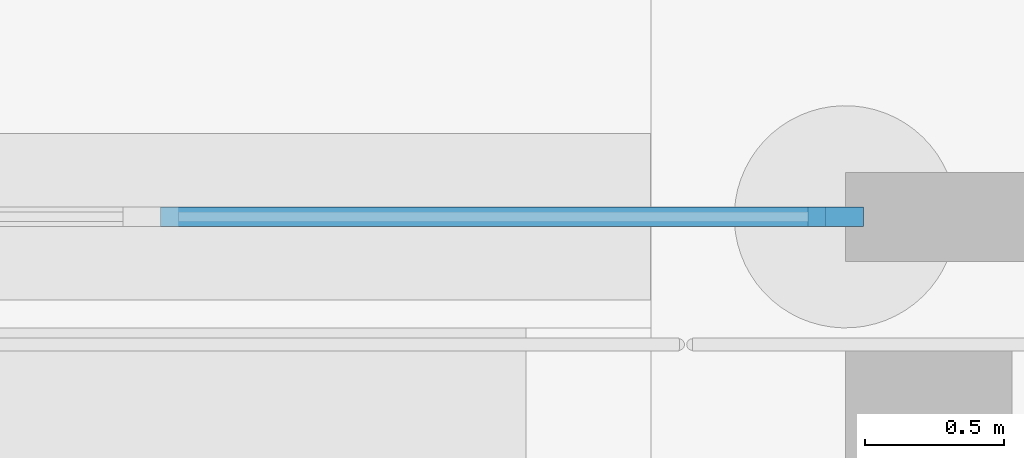
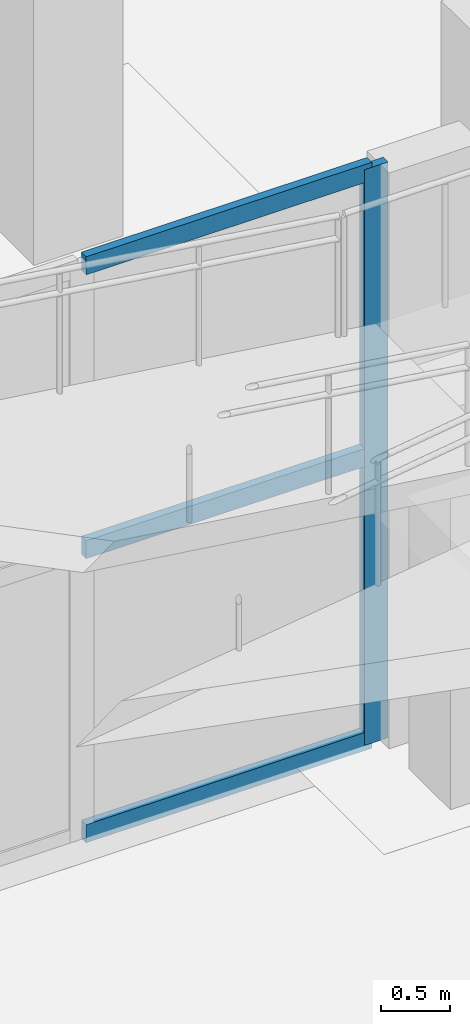
# One storey, part 22 of 46: 4 members, 1 element without a shape of its own.
"""IFC4 building model written with IfcOpenShell, lengths in metres."""

from ifc_helpers import new_model, si_unit, direction, frame, origin, origin_2d, place, context, subcontext, project, spatial, rectangle, extrude, material, material_profile, profile_set, type_object, element, aggregate, save


model = new_model("IFC4")

# Units and contexts
model_context = context("Model", 3, precision=1e-05, world=origin(), true_north=direction((0.0, 1.0)))
body_context = subcontext(model_context, "Body", "Model", "MODEL_VIEW")
ifc_project = project(units=[si_unit("LENGTHUNIT", "METRE"), si_unit("AREAUNIT", "SQUARE_METRE"), si_unit("VOLUMEUNIT", "CUBIC_METRE"), si_unit("PLANEANGLEUNIT", "RADIAN"), si_unit("MASSUNIT", "GRAM", prefix="KILO")], contexts=[model_context])

# Site, building, storey
site_placement = place(None, origin())
site = spatial("IfcSite", under=ifc_project, at=site_placement, CompositionType="ELEMENT")
building_placement = place(site_placement, origin())
building = spatial("IfcBuilding", under=site, at=building_placement, Name="Kimbaza Rail Terminus", CompositionType="ELEMENT")
storey_placement = place(building_placement, frame((0.0, 0.0, -6.0)))
storey = spatial("IfcBuildingStorey", under=building, at=storey_placement, Name="B1", CompositionType="ELEMENT", Elevation=-6.0)

# Curtain wall, members
ifc_material_1 = material(Name="Anodised aluminium framing and solar low-E glazing", Category="aluminium")
curtain_wall_type = type_object("IfcCurtainWallType", Name="ARC-CW-CN1", PredefinedType="USERDEFINED", material=ifc_material_1)
curtain_wall_placement = place(storey_placement, origin())
curtain_wall = element("IfcCurtainWall", 1, at=curtain_wall_placement, inside=storey, type_object=curtain_wall_type, Name="Metro Sunken Plaza Curtain Wall 3", ObjectType="UNITISED CURTAIN WALL", PredefinedType="USERDEFINED")
ifc_material_2 = material(Name="Anodised architectural aluminium", Category="aluminium")
ifc_material_profile_1 = material_profile(ifc_material_2, rectangle(XDim=0.070068359375, YDim=0.199951171875, at=origin_2d()), Name="MULLION 70x200")
ifc_profile_set_1 = profile_set([ifc_material_profile_1], Name="Anodised architectural aluminium")
member_type_1 = type_object("IfcMemberType", Name="ARC-CWM-02", PredefinedType="MULLION", material=ifc_profile_set_1)
member_1_placement = place(storey_placement, frame((137.965087890625, 27.0, 0.0), z_axis=(0.0, 0.0, 1.0), x_axis=(0.0, 1.0, 0.0)))
member_1 = element("IfcMember", 2, at=member_1_placement, type_object=member_type_1, Name="CW-02 mullion 5", PredefinedType="MULLION", context=body_context, shape_type="SweptSolid", body=[
    extrude(rectangle(XDim=0.070068359375, YDim=0.199951171875, at=origin_2d()), origin(), (0.0, 0.0, 1.0), 5.10009765625),
])
ifc_material_3 = material(Name="Anodised architectural aluminium", Category="aluminium")
ifc_material_profile_2 = material_profile(ifc_material_3, rectangle(XDim=0.070068359375, YDim=0.159912109375, at=origin_2d()), Name="TRANSOM 70x160")
ifc_profile_set_2 = profile_set([ifc_material_profile_2], Name="Anodised architectural aluminium")
member_type_2 = type_object("IfcMemberType", Name="ARC-CWT-02", PredefinedType="USERDEFINED", material=ifc_profile_set_2)
member_2_placement = place(storey_placement, frame((135.534912109375, 27.0, 0.034912109375), z_axis=(1.0, 0.0, 0.0), x_axis=(0.0, 1.0, 0.0)))
member_2 = element("IfcMember", 3, at=member_2_placement, type_object=member_type_2, Name="CW-02 transom 4.1", ObjectType="TRANSOM", PredefinedType="USERDEFINED", context=body_context, shape_type="SweptSolid", body=[
    extrude(rectangle(XDim=0.070068359375, YDim=0.159912109375, at=origin_2d()), origin(), (0.0, 0.0, 1.0), 2.39501953125),
])
member_3_placement = place(storey_placement, frame((135.534912109375, 27.0, 2.550048828125), z_axis=(1.0, 0.0, 0.0), x_axis=(0.0, 1.0, 0.0)))
member_3 = element("IfcMember", 4, at=member_3_placement, type_object=member_type_2, Name="CW-02 transom 4.2", ObjectType="TRANSOM", PredefinedType="USERDEFINED", context=body_context, shape_type="SweptSolid", body=[
    extrude(rectangle(XDim=0.070068359375, YDim=0.159912109375, at=origin_2d()), origin(), (0.0, 0.0, 1.0), 2.39501953125),
])
member_4_placement = place(storey_placement, frame((135.534912109375, 27.0, 5.06494140625), z_axis=(1.0, 0.0, 0.0), x_axis=(0.0, 1.0, 0.0)))
member_4 = element("IfcMember", 5, at=member_4_placement, type_object=member_type_2, Name="CW-02 transom 4.3", ObjectType="TRANSOM", PredefinedType="USERDEFINED", context=body_context, shape_type="SweptSolid", body=[
    extrude(rectangle(XDim=0.070068359375, YDim=0.159912109375, at=origin_2d()), origin(), (0.0, 0.0, 1.0), 2.39501953125),
])
aggregate(curtain_wall, [member_1, member_2, member_3, member_4])

save(model, "model.ifc")
